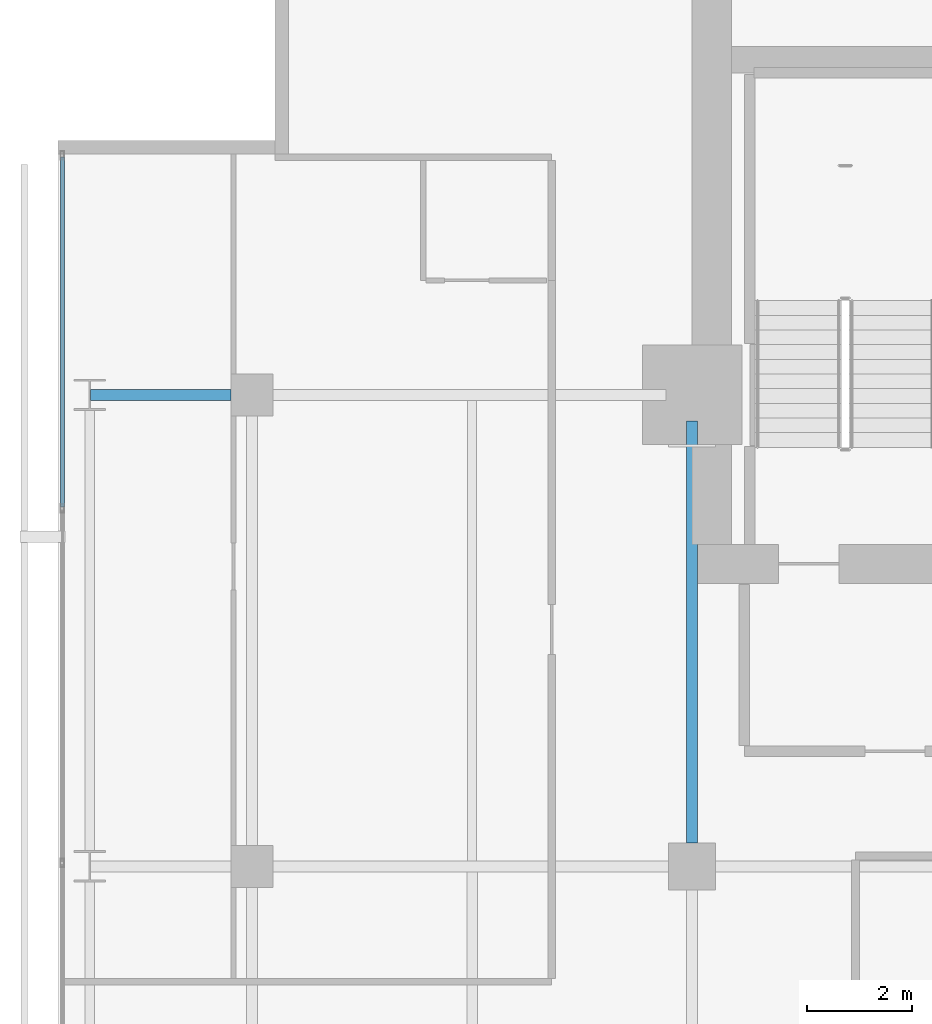
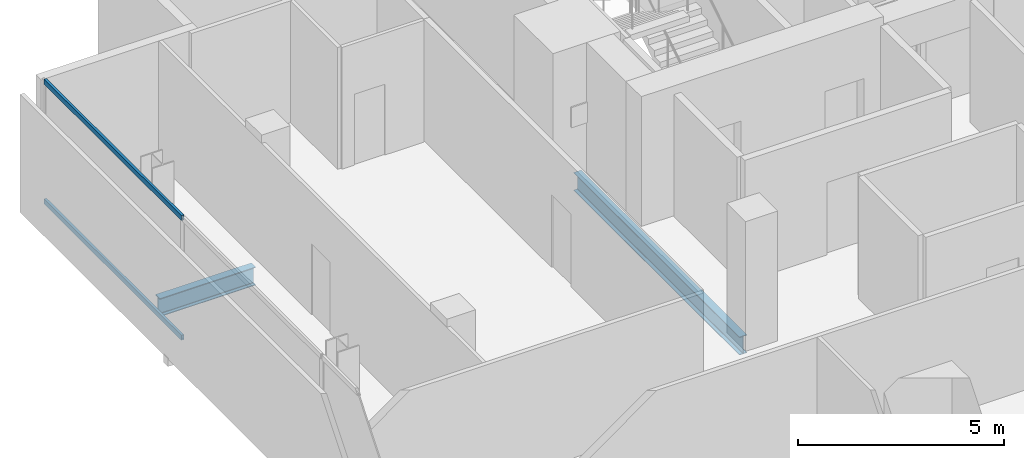
# One storey, part 19 of 33: 2 beams, 2 members, 1 element without a shape of its own.
"""IFC4 building model written with IfcOpenShell, lengths in metres."""

import ifcopenshell
import ifcopenshell.guid

model = None  # the IFC model being written
_history = None  # IfcOwnerHistory: only IFC2X3 demands one
_inside = {}  # id of a spatial element -> (the spatial element, [elements in it])
_under = {}  # id of a project, library or spatial element -> (it, [spatial elements below it])
_declared = {}  # id of a project -> (the project, [libraries it declares])
_typed = {}  # id of a type object -> (the type object, [elements of that type])
_made_of = {}  # id of a material, layer set ... -> (it, [elements and type objects made of it])


def new_model(schema):
    """Start an empty IFC model of exactly this schema.

    Asked for "IFC4X3", IfcOpenShell would pick the latest addendum, in which some entities
    have other attributes; the version numbers below select the first issue.
    IFC2X3 requires an IfcOwnerHistory on every rooted entity: one is made here for all.
    """
    global model, _history
    if schema == "IFC4X3":
        model = ifcopenshell.file(schema_version=(4, 3, 0, 0))
    else:
        model = ifcopenshell.file(schema=schema)
    _inside.clear()
    _under.clear()
    _declared.clear()
    _typed.clear()
    _made_of.clear()
    _history = None
    if model.schema == "IFC2X3":
        org = make("IfcOrganization", Name="unknown")
        user = make(
            "IfcPersonAndOrganization",
            ThePerson=make("IfcPerson", FamilyName="unknown"),
            TheOrganization=org,
        )
        app = make(
            "IfcApplication",
            ApplicationDeveloper=org,
            Version="unknown",
            ApplicationFullName="unknown",
            ApplicationIdentifier="unknown",
        )
        _history = make(
            "IfcOwnerHistory",
            OwningUser=user,
            OwningApplication=app,
            ChangeAction="ADDED",
            CreationDate=0,
        )
    return model


def make(cls, **values):
    """One entity of the class cls with the attributes given. An attribute that is None is left unset."""
    return model.create_entity(
        cls, **{name: value for name, value in values.items() if value is not None}
    )


def rooted(cls, **values):
    """An entity with a GlobalId (a new one), such as an element, a storey or a relation."""
    return make(cls, GlobalId=ifcopenshell.guid.new(), OwnerHistory=_history, **values)


def si_unit(unit_type, name, prefix=None):
    """IfcSIUnit, for example si_unit("LENGTHUNIT", "METRE", prefix="MILLI")."""
    return make("IfcSIUnit", UnitType=unit_type, Prefix=prefix, Name=name)


def assignment(units):
    """IfcUnitAssignment: the units of a project."""
    return None if units is None else make("IfcUnitAssignment", Units=units)


def point(xyz):
    """IfcCartesianPoint."""
    return None if xyz is None else make("IfcCartesianPoint", Coordinates=xyz)


def direction(xyz):
    """IfcDirection."""
    return None if xyz is None else make("IfcDirection", DirectionRatios=xyz)


def frame(location, z_axis=None, x_axis=None):
    """IfcAxis2Placement3D, a coordinate frame: its origin and axes. An axis left out is left unset."""
    return make(
        "IfcAxis2Placement3D",
        Location=point(location),
        Axis=direction(z_axis),
        RefDirection=direction(x_axis),
    )


def frame_2d(location, x_axis=None):
    """IfcAxis2Placement2D, a coordinate frame in the plane: its origin and x axis."""
    return make(
        "IfcAxis2Placement2D", Location=point(location), RefDirection=direction(x_axis)
    )


def origin():
    """The frame at (0, 0, 0) with its axes left unset."""
    return frame((0.0, 0.0, 0.0))


def origin_2d():
    """The frame at (0, 0) in the plane with its x axis left unset."""
    return frame_2d((0.0, 0.0))


def place(relative_to, where):
    """IfcLocalPlacement: puts the frame where relative to a parent placement (None: the world)."""
    return make(
        "IfcLocalPlacement", PlacementRelTo=relative_to, RelativePlacement=where
    )


def context(
    kind, dimensions, precision=None, world=None, true_north=None, identifier=None
):
    """IfcGeometricRepresentationContext, for example the 3D "Model" context."""
    return make(
        "IfcGeometricRepresentationContext",
        ContextIdentifier=identifier,
        ContextType=kind,
        CoordinateSpaceDimension=dimensions,
        Precision=precision,
        WorldCoordinateSystem=world,
        TrueNorth=true_north,
    )


def subcontext(parent, identifier, kind, view, scale=None):
    """IfcGeometricRepresentationSubContext, for example "Body" below "Model"."""
    return make(
        "IfcGeometricRepresentationSubContext",
        ContextIdentifier=identifier,
        ContextType=kind,
        ParentContext=parent,
        TargetScale=scale,
        TargetView=view,
    )


def project(units=None, contexts=None):
    """IfcProject with its units and contexts."""
    return rooted(
        "IfcProject",
        Name="project",
        RepresentationContexts=contexts,
        UnitsInContext=assignment(units),
    )


def spatial(cls, under=None, at=None, **own):
    """A site, building, storey or space (cls), placed at a placement, below another one or the project."""
    s = rooted(cls, ObjectPlacement=at, **own)
    if under is not None:
        _under.setdefault(under.id(), (under, []))[1].append(s)
    return s


def profile(cls, at=None, kind="AREA", **sizes):
    """A parametric profile (cls). Its sizes go by their IFC names, for example OverallWidth=200.0."""
    return make(cls, ProfileType=kind, Position=at, **sizes)


def hollow_rectangle(**sizes):
    """IfcRectangleHollowProfileDef."""
    return profile("IfcRectangleHollowProfileDef", **sizes)


def i_section(**sizes):
    """IfcIShapeProfileDef."""
    return profile("IfcIShapeProfileDef", **sizes)


def extrude(swept, where, along, depth):
    """IfcExtrudedAreaSolid: the profile swept, set in the frame where, extruded along a direction by depth."""
    return make(
        "IfcExtrudedAreaSolid",
        SweptArea=swept,
        Position=where,
        ExtrudedDirection=direction(along),
        Depth=depth,
    )


def shape(context_of_items, identifier, shape_type, items):
    """IfcShapeRepresentation: the items that make up one representation, for example the "Body"."""
    return make(
        "IfcShapeRepresentation",
        ContextOfItems=context_of_items,
        RepresentationIdentifier=identifier,
        RepresentationType=shape_type,
        Items=items,
    )


def material(Name=None, Category=None):
    """IfcMaterial."""
    return make("IfcMaterial", Name=Name, Category=Category)


def layer(
    of_material, thickness, ventilated=None, Name=None, Category=None, Priority=None
):
    """IfcMaterialLayer: one layer of a wall or slab, of a material (None: an air gap)."""
    return make(
        "IfcMaterialLayer",
        Material=of_material,
        LayerThickness=thickness,
        IsVentilated=ventilated,
        Name=Name,
        Category=Category,
        Priority=Priority,
    )


def layer_set(layers, Name=None):
    """IfcMaterialLayerSet."""
    return make("IfcMaterialLayerSet", MaterialLayers=layers, LayerSetName=Name)


def material_profile(
    of_material, cross_section, Name=None, Category=None, Priority=None
):
    """IfcMaterialProfile: a cross section and its material."""
    return make(
        "IfcMaterialProfile",
        Name=Name,
        Material=of_material,
        Profile=cross_section,
        Priority=Priority,
        Category=Category,
    )


def profile_set(profiles, Name=None, composite=None):
    """IfcMaterialProfileSet."""
    return make(
        "IfcMaterialProfileSet",
        Name=Name,
        MaterialProfiles=profiles,
        CompositeProfile=composite,
    )


def made_of(thing, what):
    """Note that an element or type object is made of a material, layer set ...; save() writes the relation."""
    if what is not None:
        _made_of.setdefault(what.id(), (what, []))[1].append(thing)
    return thing


def type_object(cls, material=None, **own):
    """A type object (cls), such as IfcWallType, which elements share."""
    return made_of(rooted(cls, **own), material)


def element(
    cls,
    number,
    at=None,
    inside=None,
    cuts=None,
    type_object=None,
    material=None,
    context=None,
    identifier="Body",
    shape_type=None,
    held_by="IfcProductDefinitionShape",
    body=None,
    shapes=None,
    **own,
):
    """One element of the class cls, such as IfcWall. Its Tag is "e" and its number.

    at: its placement. inside: the storey or other place that contains it. cuts: it is an
    opening in that element (IfcRelVoidsElement). A single representation is given by context,
    identifier, shape_type and body (its items); several are given by shapes. held_by: the class
    of the entity that holds the representations. save() writes the other relations.
    """
    e = rooted(cls, Tag="e%d" % number, ObjectPlacement=at, **own)
    if body is not None:
        shapes = [shape(context, identifier, shape_type, body)]
    if shapes is not None:
        e.Representation = make(held_by, Representations=shapes)
    if inside is not None:
        _inside.setdefault(inside.id(), (inside, []))[1].append(e)
    if cuts is not None:
        rooted(
            "IfcRelVoidsElement", RelatingBuildingElement=cuts, RelatedOpeningElement=e
        )
    if type_object is not None:
        _typed.setdefault(type_object.id(), (type_object, []))[1].append(e)
    return made_of(e, material)


def aggregate(whole, parts):
    """IfcRelAggregates: a whole, such as a stair, and the parts it consists of."""
    return rooted("IfcRelAggregates", RelatingObject=whole, RelatedObjects=parts)


def save(model, path):
    """Write the relations noted so far, then the file.

    IfcRelAggregates (storeys below a building ...), IfcRelContainedInSpatialStructure (elements
    in a storey), IfcRelDefinesByType, IfcRelAssociatesMaterial and IfcRelDeclares: one each for
    every whole, place, type object, material and project.
    """
    for whole, parts in _under.values():
        aggregate(whole, parts)
    for where, things in _inside.values():
        rooted(
            "IfcRelContainedInSpatialStructure",
            RelatedElements=things,
            RelatingStructure=where,
        )
    for kind, things in _typed.values():
        rooted("IfcRelDefinesByType", RelatedObjects=things, RelatingType=kind)
    for what, things in _made_of.values():
        rooted("IfcRelAssociatesMaterial", RelatedObjects=things, RelatingMaterial=what)
    for by, libraries in _declared.values():
        rooted("IfcRelDeclares", RelatingContext=by, RelatedDefinitions=libraries)
    model.write(path)


model = new_model("IFC4")

# Units and contexts
model_context = context("Model", 3, precision=1e-05, world=origin(), true_north=direction((0.0, 1.0)))
body_context = subcontext(model_context, "Body", "Model", "MODEL_VIEW")
ifc_project = project(units=[si_unit("LENGTHUNIT", "METRE"), si_unit("AREAUNIT", "SQUARE_METRE"), si_unit("VOLUMEUNIT", "CUBIC_METRE"), si_unit("PLANEANGLEUNIT", "RADIAN"), si_unit("MASSUNIT", "GRAM", prefix="KILO")], contexts=[model_context])

# Site, building, storey
site_placement = place(None, origin())
site = spatial("IfcSite", under=ifc_project, at=site_placement, CompositionType="ELEMENT")
building_placement = place(site_placement, origin())
building = spatial("IfcBuilding", under=site, at=building_placement, Name="Maruvema Waterfront Hotel and Observation Tower", CompositionType="ELEMENT")
storey_placement = place(building_placement, frame((0.0, 0.0, 196.699951171875)))
storey = spatial("IfcBuildingStorey", under=building, at=storey_placement, Name="L48", CompositionType="ELEMENT", Elevation=196.699951171875)

# Curtain wall, members
ifc_material_1 = material(Name="Anodised bronze aluminium and solar-control low-E IGU", Category="aluminium")
ifc_layer = layer(ifc_material_1, 0.159912109375, Name="Zone 2 Amber Inner Thermal Curtain Wall System CW-03")
ifc_layer_set = layer_set([ifc_layer], Name="Anodised bronze aluminium and solar-control low-E IGU")
curtain_wall_type = type_object("IfcCurtainWallType", Name="Zone 2 Amber Inner Thermal Curtain Wall System CW-03", PredefinedType="USERDEFINED", material=ifc_layer_set)
curtain_wall_placement = place(storey_placement, origin())
curtain_wall = element("IfcCurtainWall", 1, at=curtain_wall_placement, inside=storey, type_object=curtain_wall_type, Name="L48 Curtain Wall CW-L48-W", ObjectType="UNITISED CURTAIN WALL", PredefinedType="USERDEFINED")
ifc_material_2 = material(Name="Anodised architectural bronze aluminium", Category="aluminium")
ifc_material_profile_1 = material_profile(ifc_material_2, hollow_rectangle(XDim=0.070068359375, YDim=0.14990234375, WallThickness=0.00390625, at=origin_2d()), Name="ALU-T70x150")
ifc_profile_set_1 = profile_set([ifc_material_profile_1], Name="Anodised architectural bronze aluminium")
member_type = type_object("IfcMemberType", Name="Curtain Wall Horizontal Transom ALU-T70x150", PredefinedType="USERDEFINED", material=ifc_profile_set_1)
member_1_placement = place(storey_placement, frame((13.179931640625, 49.5400390625, 0.030029296875), z_axis=(0.0, -1.0, 0.0), x_axis=(1.0, 0.0, 0.0)))
member_1 = element("IfcMember", 2, at=member_1_placement, type_object=member_type, Name="CW-03 transom 1.1", ObjectType="TRANSOM", PredefinedType="USERDEFINED", context=body_context, shape_type="SweptSolid", body=[
    extrude(hollow_rectangle(XDim=0.070068359375, YDim=0.14990234375, WallThickness=0.00390625, at=origin_2d()), origin(), (0.0, 0.0, 1.0), 6.6767578125),
])
member_2_placement = place(storey_placement, frame((13.179931640625, 49.5400390625, 3.580078125), z_axis=(0.0, -1.0, 0.0), x_axis=(1.0, 0.0, 0.0)))
member_2 = element("IfcMember", 3, at=member_2_placement, type_object=member_type, Name="CW-03 transom 1.2", ObjectType="TRANSOM", PredefinedType="USERDEFINED", context=body_context, shape_type="SweptSolid", body=[
    extrude(hollow_rectangle(XDim=0.070068359375, YDim=0.14990234375, WallThickness=0.00390625, at=origin_2d()), origin(), (0.0, 0.0, 1.0), 6.6767578125),
])
aggregate(curtain_wall, [member_1, member_2])

# Beams
ifc_material_3 = material(Name="Steel ASTM A572 Grade 50", Category="steel")
ifc_material_profile_2 = material_profile(ifc_material_3, i_section(OverallWidth=0.2109375, OverallDepth=0.5390625, WebThickness=0.01171875, FlangeThickness=0.018798828125, FilletRadius=0.014892578125, at=origin_2d()), Name="W530x109.0")
ifc_profile_set_2 = profile_set([ifc_material_profile_2], Name="Steel ASTM A572 Grade 50")
beam_type = type_object("IfcBeamType", Name="Primary Floor Girder W530x109.0", PredefinedType="BEAM", material=ifc_profile_set_2)
beam_1_placement = place(storey_placement, frame((13.71240234375, 45.0, -0.509521484375), z_axis=(1.0, 0.0, 0.0), x_axis=(0.0, 1.0, 0.0)))
element("IfcBeam", 4, at=beam_1_placement, inside=storey, type_object=beam_type, Name="L48 Floor Girder EW-30", PredefinedType="BEAM", context=body_context, shape_type="SweptSolid", body=[
    extrude(i_section(OverallWidth=0.2109375, OverallDepth=0.5390625, WebThickness=0.01171875, FlangeThickness=0.018798828125, FilletRadius=0.014892578125, at=origin_2d()), origin(), (0.0, 0.0, 1.0), 2.6875),
])
beam_2_placement = place(storey_placement, frame((25.199951171875, 36.449951171875, -0.509521484375), z_axis=(0.0, 1.0, 0.0), x_axis=(-1.0, 0.0, 0.0)))
element("IfcBeam", 5, at=beam_2_placement, inside=storey, type_object=beam_type, Name="L48 Floor Girder NS-13", PredefinedType="BEAM", context=body_context, shape_type="SweptSolid", body=[
    extrude(i_section(OverallWidth=0.2109375, OverallDepth=0.5390625, WebThickness=0.01171875, FlangeThickness=0.018798828125, FilletRadius=0.014892578125, at=origin_2d()), origin(), (0.0, 0.0, 1.0), 8.050048828125),
])

save(model, "model.ifc")
